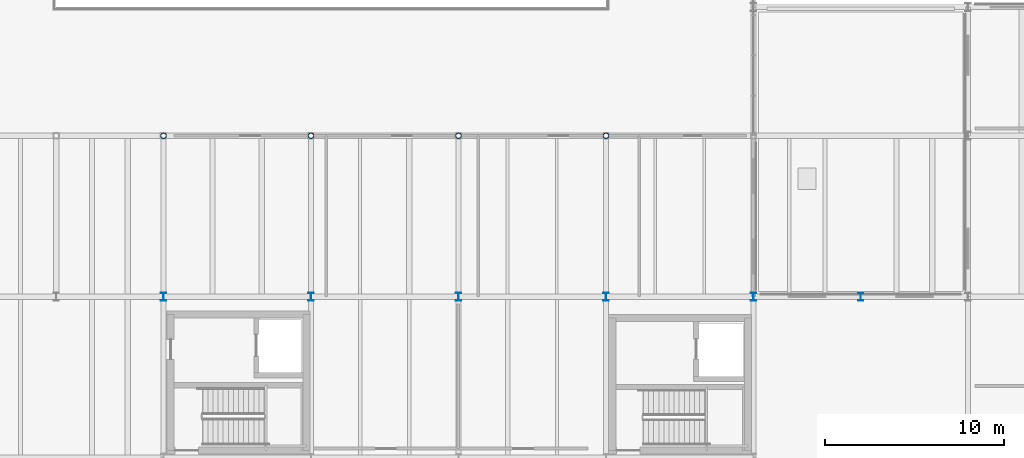
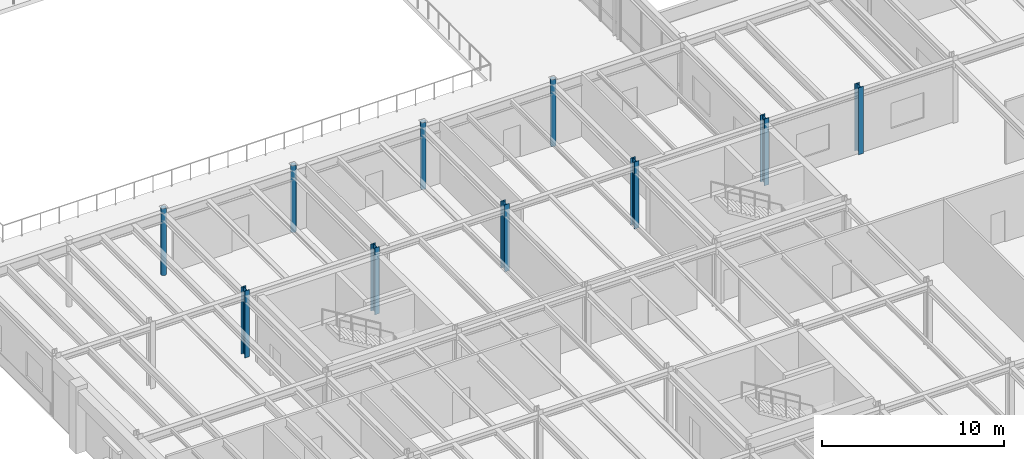
# One storey, part 6 of 64: 10 columns.
"""IFC4 building model written with IfcOpenShell, lengths in metres."""

import ifcopenshell
import ifcopenshell.guid

model = None  # the IFC model being written
_history = None  # IfcOwnerHistory: only IFC2X3 demands one
_inside = {}  # id of a spatial element -> (the spatial element, [elements in it])
_under = {}  # id of a project, library or spatial element -> (it, [spatial elements below it])
_declared = {}  # id of a project -> (the project, [libraries it declares])
_typed = {}  # id of a type object -> (the type object, [elements of that type])
_made_of = {}  # id of a material, layer set ... -> (it, [elements and type objects made of it])


def new_model(schema):
    """Start an empty IFC model of exactly this schema.

    Asked for "IFC4X3", IfcOpenShell would pick the latest addendum, in which some entities
    have other attributes; the version numbers below select the first issue.
    IFC2X3 requires an IfcOwnerHistory on every rooted entity: one is made here for all.
    """
    global model, _history
    if schema == "IFC4X3":
        model = ifcopenshell.file(schema_version=(4, 3, 0, 0))
    else:
        model = ifcopenshell.file(schema=schema)
    _inside.clear()
    _under.clear()
    _declared.clear()
    _typed.clear()
    _made_of.clear()
    _history = None
    if model.schema == "IFC2X3":
        org = make("IfcOrganization", Name="unknown")
        user = make(
            "IfcPersonAndOrganization",
            ThePerson=make("IfcPerson", FamilyName="unknown"),
            TheOrganization=org,
        )
        app = make(
            "IfcApplication",
            ApplicationDeveloper=org,
            Version="unknown",
            ApplicationFullName="unknown",
            ApplicationIdentifier="unknown",
        )
        _history = make(
            "IfcOwnerHistory",
            OwningUser=user,
            OwningApplication=app,
            ChangeAction="ADDED",
            CreationDate=0,
        )
    return model


def make(cls, **values):
    """One entity of the class cls with the attributes given. An attribute that is None is left unset."""
    return model.create_entity(
        cls, **{name: value for name, value in values.items() if value is not None}
    )


def rooted(cls, **values):
    """An entity with a GlobalId (a new one), such as an element, a storey or a relation."""
    return make(cls, GlobalId=ifcopenshell.guid.new(), OwnerHistory=_history, **values)


def si_unit(unit_type, name, prefix=None):
    """IfcSIUnit, for example si_unit("LENGTHUNIT", "METRE", prefix="MILLI")."""
    return make("IfcSIUnit", UnitType=unit_type, Prefix=prefix, Name=name)


def assignment(units):
    """IfcUnitAssignment: the units of a project."""
    return None if units is None else make("IfcUnitAssignment", Units=units)


def point(xyz):
    """IfcCartesianPoint."""
    return None if xyz is None else make("IfcCartesianPoint", Coordinates=xyz)


def direction(xyz):
    """IfcDirection."""
    return None if xyz is None else make("IfcDirection", DirectionRatios=xyz)


def frame(location, z_axis=None, x_axis=None):
    """IfcAxis2Placement3D, a coordinate frame: its origin and axes. An axis left out is left unset."""
    return make(
        "IfcAxis2Placement3D",
        Location=point(location),
        Axis=direction(z_axis),
        RefDirection=direction(x_axis),
    )


def frame_2d(location, x_axis=None):
    """IfcAxis2Placement2D, a coordinate frame in the plane: its origin and x axis."""
    return make(
        "IfcAxis2Placement2D", Location=point(location), RefDirection=direction(x_axis)
    )


def origin():
    """The frame at (0, 0, 0) with its axes left unset."""
    return frame((0.0, 0.0, 0.0))


def origin_2d():
    """The frame at (0, 0) in the plane with its x axis left unset."""
    return frame_2d((0.0, 0.0))


def place(relative_to, where):
    """IfcLocalPlacement: puts the frame where relative to a parent placement (None: the world)."""
    return make(
        "IfcLocalPlacement", PlacementRelTo=relative_to, RelativePlacement=where
    )


def context(
    kind, dimensions, precision=None, world=None, true_north=None, identifier=None
):
    """IfcGeometricRepresentationContext, for example the 3D "Model" context."""
    return make(
        "IfcGeometricRepresentationContext",
        ContextIdentifier=identifier,
        ContextType=kind,
        CoordinateSpaceDimension=dimensions,
        Precision=precision,
        WorldCoordinateSystem=world,
        TrueNorth=true_north,
    )


def subcontext(parent, identifier, kind, view, scale=None):
    """IfcGeometricRepresentationSubContext, for example "Body" below "Model"."""
    return make(
        "IfcGeometricRepresentationSubContext",
        ContextIdentifier=identifier,
        ContextType=kind,
        ParentContext=parent,
        TargetScale=scale,
        TargetView=view,
    )


def project(units=None, contexts=None):
    """IfcProject with its units and contexts."""
    return rooted(
        "IfcProject",
        Name="project",
        RepresentationContexts=contexts,
        UnitsInContext=assignment(units),
    )


def spatial(cls, under=None, at=None, **own):
    """A site, building, storey or space (cls), placed at a placement, below another one or the project."""
    s = rooted(cls, ObjectPlacement=at, **own)
    if under is not None:
        _under.setdefault(under.id(), (under, []))[1].append(s)
    return s


def profile(cls, at=None, kind="AREA", **sizes):
    """A parametric profile (cls). Its sizes go by their IFC names, for example OverallWidth=200.0."""
    return make(cls, ProfileType=kind, Position=at, **sizes)


def hollow_circle(**sizes):
    """IfcCircleHollowProfileDef."""
    return profile("IfcCircleHollowProfileDef", **sizes)


def i_section(**sizes):
    """IfcIShapeProfileDef."""
    return profile("IfcIShapeProfileDef", **sizes)


def extrude(swept, where, along, depth):
    """IfcExtrudedAreaSolid: the profile swept, set in the frame where, extruded along a direction by depth."""
    return make(
        "IfcExtrudedAreaSolid",
        SweptArea=swept,
        Position=where,
        ExtrudedDirection=direction(along),
        Depth=depth,
    )


def shape(context_of_items, identifier, shape_type, items):
    """IfcShapeRepresentation: the items that make up one representation, for example the "Body"."""
    return make(
        "IfcShapeRepresentation",
        ContextOfItems=context_of_items,
        RepresentationIdentifier=identifier,
        RepresentationType=shape_type,
        Items=items,
    )


def material(Name=None, Category=None):
    """IfcMaterial."""
    return make("IfcMaterial", Name=Name, Category=Category)


def material_profile(
    of_material, cross_section, Name=None, Category=None, Priority=None
):
    """IfcMaterialProfile: a cross section and its material."""
    return make(
        "IfcMaterialProfile",
        Name=Name,
        Material=of_material,
        Profile=cross_section,
        Priority=Priority,
        Category=Category,
    )


def profile_set(profiles, Name=None, composite=None):
    """IfcMaterialProfileSet."""
    return make(
        "IfcMaterialProfileSet",
        Name=Name,
        MaterialProfiles=profiles,
        CompositeProfile=composite,
    )


def made_of(thing, what):
    """Note that an element or type object is made of a material, layer set ...; save() writes the relation."""
    if what is not None:
        _made_of.setdefault(what.id(), (what, []))[1].append(thing)
    return thing


def type_object(cls, material=None, **own):
    """A type object (cls), such as IfcWallType, which elements share."""
    return made_of(rooted(cls, **own), material)


def element(
    cls,
    number,
    at=None,
    inside=None,
    cuts=None,
    type_object=None,
    material=None,
    context=None,
    identifier="Body",
    shape_type=None,
    held_by="IfcProductDefinitionShape",
    body=None,
    shapes=None,
    **own,
):
    """One element of the class cls, such as IfcWall. Its Tag is "e" and its number.

    at: its placement. inside: the storey or other place that contains it. cuts: it is an
    opening in that element (IfcRelVoidsElement). A single representation is given by context,
    identifier, shape_type and body (its items); several are given by shapes. held_by: the class
    of the entity that holds the representations. save() writes the other relations.
    """
    e = rooted(cls, Tag="e%d" % number, ObjectPlacement=at, **own)
    if body is not None:
        shapes = [shape(context, identifier, shape_type, body)]
    if shapes is not None:
        e.Representation = make(held_by, Representations=shapes)
    if inside is not None:
        _inside.setdefault(inside.id(), (inside, []))[1].append(e)
    if cuts is not None:
        rooted(
            "IfcRelVoidsElement", RelatingBuildingElement=cuts, RelatedOpeningElement=e
        )
    if type_object is not None:
        _typed.setdefault(type_object.id(), (type_object, []))[1].append(e)
    return made_of(e, material)


def aggregate(whole, parts):
    """IfcRelAggregates: a whole, such as a stair, and the parts it consists of."""
    return rooted("IfcRelAggregates", RelatingObject=whole, RelatedObjects=parts)


def save(model, path):
    """Write the relations noted so far, then the file.

    IfcRelAggregates (storeys below a building ...), IfcRelContainedInSpatialStructure (elements
    in a storey), IfcRelDefinesByType, IfcRelAssociatesMaterial and IfcRelDeclares: one each for
    every whole, place, type object, material and project.
    """
    for whole, parts in _under.values():
        aggregate(whole, parts)
    for where, things in _inside.values():
        rooted(
            "IfcRelContainedInSpatialStructure",
            RelatedElements=things,
            RelatingStructure=where,
        )
    for kind, things in _typed.values():
        rooted("IfcRelDefinesByType", RelatedObjects=things, RelatingType=kind)
    for what, things in _made_of.values():
        rooted("IfcRelAssociatesMaterial", RelatedObjects=things, RelatingMaterial=what)
    for by, libraries in _declared.values():
        rooted("IfcRelDeclares", RelatingContext=by, RelatedDefinitions=libraries)
    model.write(path)


model = new_model("IFC4")

# Units and contexts
model_context = context("Model", 3, precision=1e-05, world=origin(), true_north=direction((0.0, 1.0)))
body_context = subcontext(model_context, "Body", "Model", "MODEL_VIEW")
ifc_project = project(units=[si_unit("LENGTHUNIT", "METRE"), si_unit("AREAUNIT", "SQUARE_METRE"), si_unit("VOLUMEUNIT", "CUBIC_METRE"), si_unit("PLANEANGLEUNIT", "RADIAN"), si_unit("MASSUNIT", "GRAM", prefix="KILO")], contexts=[model_context])

# Site, building, storey
site_placement = place(None, origin())
site = spatial("IfcSite", under=ifc_project, at=site_placement, CompositionType="ELEMENT")
building_placement = place(site_placement, origin())
building = spatial("IfcBuilding", under=site, at=building_placement, Name="Montealbar Specialist Clinic", CompositionType="ELEMENT")
storey_placement = place(building_placement, frame((0.0, 0.0, 5.10009765625)))
storey = spatial("IfcBuildingStorey", under=building, at=storey_placement, Name="L01", CompositionType="ELEMENT", Elevation=5.10009765625)

# Columns
ifc_material = material(Name="Steel S355", Category="steel")
ifc_material_profile_1 = material_profile(ifc_material, hollow_circle(Radius=0.161865234375, WallThickness=0.01611328125, at=origin_2d()), Name="CHS 323.9x16.0", Category="steel")
ifc_profile_set_1 = profile_set([ifc_material_profile_1], Name="Steel S355")
column_type_1 = type_object("IfcColumnType", Name="COL-CHS-HALL", PredefinedType="COLUMN", material=ifc_profile_set_1)
for number, where, z_axis, x_axis, name in (
    (1, (66.0, 45.0, 0.0), (0.0, 0.0, 1.0), (1.0, 0.0, 0.0), "Column 9/F L01"),
    (2, (74.25, 45.0, 0.0), (0.0, 0.0, 1.0), (1.0, 0.0, 0.0), "Column 10/F L01"),
    (3, (82.5, 45.0, 0.0), (0.0, 0.0, 1.0), (1.0, 0.0, 0.0), "Column 11/F L01"),
    (4, (90.75, 45.0, 0.0), (0.0, 0.0, 1.0), (1.0, 0.0, 0.0), "Column 12/F L01"),
):
    element("IfcColumn", number, at=place(storey_placement, frame(where, z_axis=z_axis, x_axis=x_axis)), inside=storey, type_object=column_type_1, Name=name, PredefinedType="COLUMN", context=body_context, shape_type="SweptSolid", body=[
        extrude(hollow_circle(Radius=0.161865234375, WallThickness=0.01611328125, at=origin_2d()), origin(), (0.0, 0.0, 1.0), 4.5),
    ])
ifc_material_profile_2 = material_profile(ifc_material, i_section(OverallWidth=0.300048828125, OverallDepth=0.449951171875, WebThickness=0.013916015625, FlangeThickness=0.02587890625, FilletRadius=0.027099609375, at=origin_2d()), Name="HEB 450", Category="steel")
ifc_profile_set_2 = profile_set([ifc_material_profile_2], Name="Steel S355")
column_type_2 = type_object("IfcColumnType", Name="COL-S-L01-STD", PredefinedType="COLUMN", material=ifc_profile_set_2)
for number, where, z_axis, x_axis, name in (
    (5, (66.0, 36.0, 0.0), (0.0, 0.0, 1.0), (1.0, 0.0, 0.0), "Column 9/E L01"),
    (6, (74.25, 36.0, 0.0), (0.0, 0.0, 1.0), (1.0, 0.0, 0.0), "Column 10/E L01"),
    (7, (82.5, 36.0, 0.0), (0.0, 0.0, 1.0), (1.0, 0.0, 0.0), "Column 11/E L01"),
    (8, (90.75, 36.0, 0.0), (0.0, 0.0, 1.0), (1.0, 0.0, 0.0), "Column 12/E L01"),
):
    element("IfcColumn", number, at=place(storey_placement, frame(where, z_axis=z_axis, x_axis=x_axis)), inside=storey, type_object=column_type_2, Name=name, PredefinedType="COLUMN", context=body_context, shape_type="SweptSolid", body=[
        extrude(i_section(OverallWidth=0.300048828125, OverallDepth=0.449951171875, WebThickness=0.013916015625, FlangeThickness=0.02587890625, FilletRadius=0.027099609375, at=origin_2d()), origin(), (0.0, 0.0, 1.0), 4.5),
    ])
ifc_material_profile_3 = material_profile(ifc_material, i_section(OverallWidth=0.300048828125, OverallDepth=0.449951171875, WebThickness=0.013916015625, FlangeThickness=0.02587890625, FilletRadius=0.027099609375, at=origin_2d()), Name="HEB 450", Category="steel")
ifc_profile_set_3 = profile_set([ifc_material_profile_3], Name="Steel S355")
column_type_3 = type_object("IfcColumnType", Name="COL-S-L01-STD-EXT", PredefinedType="COLUMN", material=ifc_profile_set_3)
for number, where, z_axis, x_axis, name in (
    (9, (99.0, 36.0, 0.0), (0.0, 0.0, 1.0), (1.0, 0.0, 0.0), "Column 13/E L01"),
    (10, (105.0, 36.0, 0.0), (0.0, 0.0, 1.0), (1.0, 0.0, 0.0), "Column 14/E L01"),
):
    element("IfcColumn", number, at=place(storey_placement, frame(where, z_axis=z_axis, x_axis=x_axis)), inside=storey, type_object=column_type_3, Name=name, PredefinedType="COLUMN", context=body_context, shape_type="SweptSolid", body=[
        extrude(i_section(OverallWidth=0.300048828125, OverallDepth=0.449951171875, WebThickness=0.013916015625, FlangeThickness=0.02587890625, FilletRadius=0.027099609375, at=origin_2d()), origin(), (0.0, 0.0, 1.0), 4.5),
    ])

save(model, "model.ifc")
